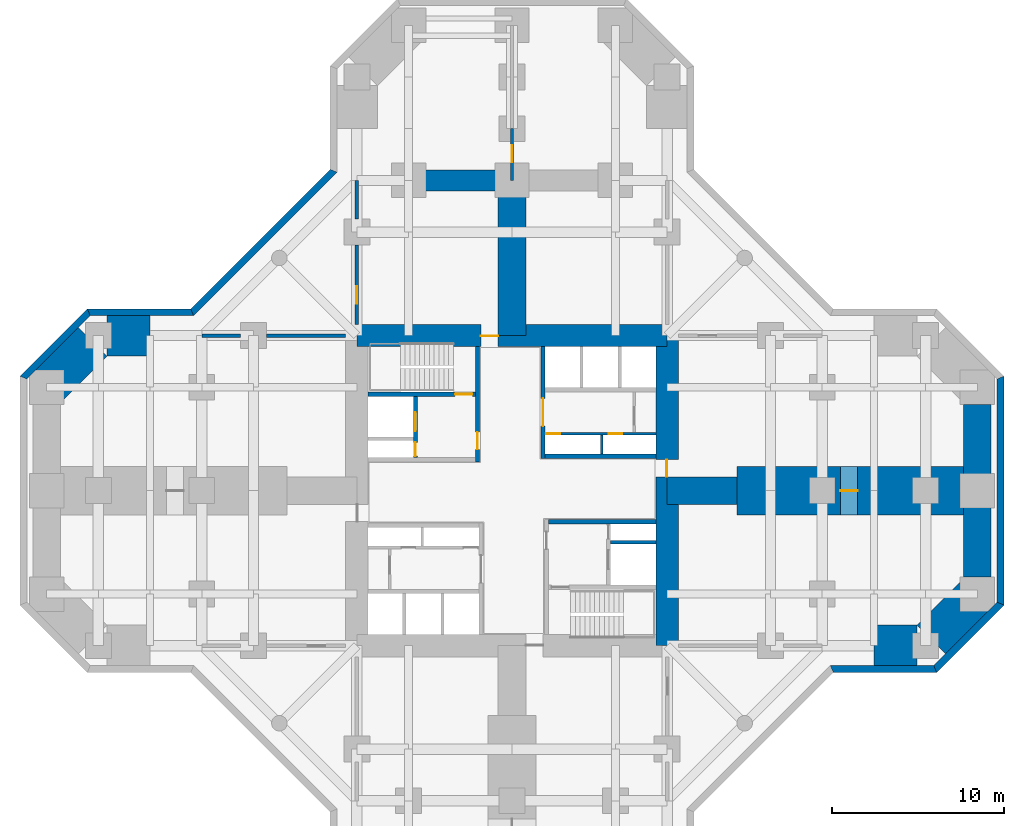
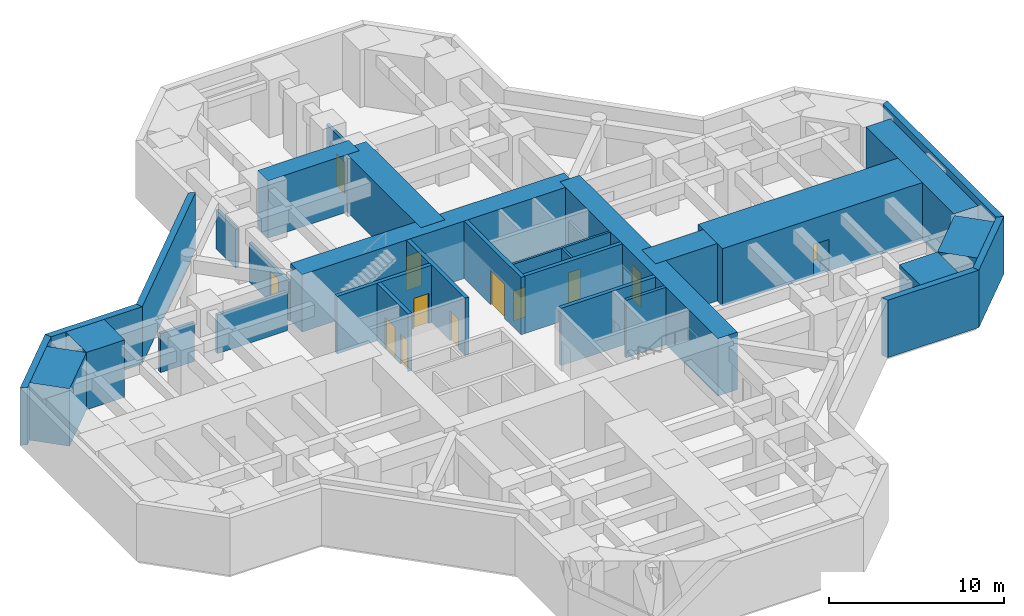
# One storey, part 4 of 6: 31 walls, 12 doors, 12 openings.
"""IFC4 building model written with IfcOpenShell, lengths in metres."""

from ifc_helpers import new_model, si_unit, direction, frame, frame_2d, origin, place, context, subcontext, project, spatial, polyline, rectangle, outline, extrude, material, layer, layer_set, constituent, constituent_set, type_object, element, fill, save


model = new_model("IFC4")

# Units and contexts
model_context = context("Model", 3, precision=1e-05, world=origin(), true_north=direction((0.0, 1.0)))
body_context = subcontext(model_context, "Body", "Model", "MODEL_VIEW")
ifc_project = project(units=[si_unit("LENGTHUNIT", "METRE"), si_unit("AREAUNIT", "SQUARE_METRE"), si_unit("VOLUMEUNIT", "CUBIC_METRE"), si_unit("PLANEANGLEUNIT", "RADIAN"), si_unit("MASSUNIT", "GRAM", prefix="KILO")], contexts=[model_context])

# Site, building, storey
site_placement = place(None, origin())
site = spatial("IfcSite", under=ifc_project, at=site_placement, CompositionType="ELEMENT")
building_placement = place(site_placement, origin())
building = spatial("IfcBuilding", under=site, at=building_placement, Name="Torre Cruceta", CompositionType="ELEMENT")
storey_placement = place(building_placement, frame((0.0, 0.0, -4.0)))
storey = spatial("IfcBuildingStorey", under=building, at=storey_placement, Name="B01", CompositionType="ELEMENT", Elevation=-4.0)

# Walls
ifc_material_1 = material(Name="Concrete G60 (fck 60 MPa)", Category="concrete")
ifc_layer_1 = layer(ifc_material_1, 2.39990234375)
ifc_layer_set_1 = layer_set([ifc_layer_1], Name="Concrete G60 (fck 60 MPa)")
wall_type_1 = type_object("IfcWallType", Name="BASEMENT ARM WALL 2400 G60", PredefinedType="SHEAR", material=ifc_layer_set_1)
wall_1_placement = place(storey_placement, frame((21.0, -9.0, 0.0), z_axis=(0.0, 0.0, 1.0), x_axis=(1.0, 0.0, 0.0)))
element("IfcWall", 1, at=wall_1_placement, inside=storey, type_object=wall_type_1, Name="BW1 basement arm wall B01 E R1", PredefinedType="SHEAR", context=body_context, shape_type="SweptSolid", body=[
    extrude(rectangle(XDim=2.5029296875, YDim=2.39990234375, at=frame_2d((1.25146484375, 0.0))), origin(), (0.0, 0.0, 1.0), 4.0),
])
wall_2_placement = place(storey_placement, frame((24.3515625, -8.6484375, 0.0), z_axis=(0.0, 0.0, 1.0), x_axis=(0.707106781187, 0.707106781187, 0.0)))
element("IfcWall", 2, at=wall_2_placement, inside=storey, type_object=wall_type_1, Name="BW1 basement arm wall B01 E R2", PredefinedType="SHEAR", context=body_context, shape_type="SweptSolid", body=[
    extrude(rectangle(XDim=3.745361328125, YDim=2.39990234375, at=frame_2d((1.87255859375, 0.0))), origin(), (0.0, 0.0, 1.0), 4.0),
])
wall_3_placement = place(storey_placement, frame((-21.0, 9.0, 0.0), z_axis=(0.0, 0.0, 1.0), x_axis=(-1.0, 0.0, 0.0)))
element("IfcWall", 3, at=wall_3_placement, inside=storey, type_object=wall_type_1, Name="BW1 basement arm wall B01 W R1", PredefinedType="SHEAR", context=body_context, shape_type="SweptSolid", body=[
    extrude(rectangle(XDim=2.5029296875, YDim=2.39990234375, at=frame_2d((1.25146484375, 0.0))), origin(), (0.0, 0.0, 1.0), 4.0),
])
wall_4_placement = place(storey_placement, frame((-24.3515625, 8.6484375, 0.0), z_axis=(0.0, 0.0, 1.0), x_axis=(-0.707106781187, -0.707106781187, 0.0)))
element("IfcWall", 4, at=wall_4_placement, inside=storey, type_object=wall_type_1, Name="BW1 basement arm wall B01 W R2", PredefinedType="SHEAR", context=body_context, shape_type="SweptSolid", body=[
    extrude(rectangle(XDim=3.745361328125, YDim=2.39990234375, at=frame_2d((1.87255859375, 0.0))), origin(), (0.0, 0.0, 1.0), 4.0),
])
ifc_material_2 = material(Name="Concrete G45 (fck 45 MPa)", Category="concrete")
ifc_layer_2 = layer(ifc_material_2, 0.39990234375)
ifc_layer_set_2 = layer_set([ifc_layer_2], Name="Concrete G45 (fck 45 MPa)")
wall_type_2 = type_object("IfcWallType", Name="BASEMENT RETAINING WALL 400", PredefinedType="SOLIDWALL", material=ifc_layer_set_2)
wall_5_placement = place(storey_placement, origin())
element("IfcWall", 5, at=wall_5_placement, inside=storey, type_object=wall_type_2, Name="Retaining wall RW1 B01-11", PredefinedType="SOLIDWALL", context=body_context, shape_type="SweptSolid", body=[
    extrude(outline(polyline([(-28.14990234375, 6.476318359375), (-28.550048828125, 6.64208984375), (-24.64208984375, 10.550048828125), (-24.476318359375, 10.14990234375), (-28.14990234375, 6.476318359375)])), origin(), (0.0, 0.0, 1.0), 4.0),
])
wall_6_placement = place(storey_placement, origin())
element("IfcWall", 6, at=wall_6_placement, inside=storey, type_object=wall_type_2, Name="Retaining wall RW1 B01-12", PredefinedType="SOLIDWALL", context=body_context, shape_type="SweptSolid", body=[
    extrude(outline(polyline([(-24.476318359375, 10.14990234375), (-24.64208984375, 10.550048828125), (-18.64208984375, 10.550048828125), (-18.476318359375, 10.14990234375), (-24.476318359375, 10.14990234375)])), origin(), (0.0, 0.0, 1.0), 4.0),
])
wall_7_placement = place(storey_placement, origin())
element("IfcWall", 7, at=wall_7_placement, inside=storey, type_object=wall_type_2, Name="Retaining wall RW1 B01-13", PredefinedType="SOLIDWALL", context=body_context, shape_type="SweptSolid", body=[
    extrude(outline(polyline([(-18.476318359375, 10.14990234375), (-18.64208984375, 10.550048828125), (-10.550048828125, 18.64208984375), (-10.14990234375, 18.476318359375), (-18.476318359375, 10.14990234375)])), origin(), (0.0, 0.0, 1.0), 4.0),
])
wall_8_placement = place(storey_placement, origin())
element("IfcWall", 8, at=wall_8_placement, inside=storey, type_object=wall_type_2, Name="Retaining wall RW1 B01-22", PredefinedType="SOLIDWALL", context=body_context, shape_type="SweptSolid", body=[
    extrude(outline(polyline([(28.14990234375, 6.476318359375), (28.550048828125, 6.64208984375), (28.550048828125, -6.64208984375), (28.14990234375, -6.476318359375), (28.14990234375, 6.476318359375)])), origin(), (0.0, 0.0, 1.0), 4.0),
])
wall_9_placement = place(storey_placement, origin())
element("IfcWall", 9, at=wall_9_placement, inside=storey, type_object=wall_type_2, Name="Retaining wall RW1 B01-23", PredefinedType="SOLIDWALL", context=body_context, shape_type="SweptSolid", body=[
    extrude(outline(polyline([(28.14990234375, -6.476318359375), (28.550048828125, -6.64208984375), (24.64208984375, -10.550048828125), (24.476318359375, -10.14990234375), (28.14990234375, -6.476318359375)])), origin(), (0.0, 0.0, 1.0), 4.0),
])
wall_10_placement = place(storey_placement, origin())
element("IfcWall", 10, at=wall_10_placement, inside=storey, type_object=wall_type_2, Name="Retaining wall RW1 B01-24", PredefinedType="SOLIDWALL", context=body_context, shape_type="SweptSolid", body=[
    extrude(outline(polyline([(24.476318359375, -10.14990234375), (24.64208984375, -10.550048828125), (18.64208984375, -10.550048828125), (18.476318359375, -10.14990234375), (24.476318359375, -10.14990234375)])), origin(), (0.0, 0.0, 1.0), 4.0),
])

# Wall, opening, door
ifc_material_3 = material(Name="Concrete G60 (fck 60 MPa)", Category="concrete")
ifc_layer_3 = layer(ifc_material_3, 0.25)
ifc_layer_set_3 = layer_set([ifc_layer_3], Name="Concrete G60 (fck 60 MPa)")
wall_type_3 = type_object("IfcWallType", Name="CORE INNER WALL 250 G60", PredefinedType="SHEAR", material=ifc_layer_set_3)
wall_11_placement = place(storey_placement, frame((1.800048828125, 1.875, 0.0), z_axis=(0.0, 0.0, 1.0), x_axis=(0.0, 1.0, 0.0)))
wall_11 = element("IfcWall", 11, at=wall_11_placement, inside=storey, type_object=wall_type_3, Name="CW4 B01 NE-CU", PredefinedType="SHEAR", context=body_context, shape_type="SweptSolid", body=[
    extrude(rectangle(XDim=6.47509765625, YDim=0.25, at=frame_2d((3.237548828125, 0.0))), origin(), (0.0, 0.0, 1.0), 4.0),
])
opening_1_placement = place(wall_11_placement, frame((1.875, 0.0, 0.0)))
opening_1 = element("IfcOpeningElement", 12, at=opening_1_placement, cuts=wall_11, Name="Opening D15", PredefinedType="OPENING", context=body_context, shape_type="SweptSolid", body=[
    extrude(rectangle(XDim=1.60009765625, YDim=2.39990234375, at=frame_2d((0.800048828125, 1.199951171875))), frame((0.0, 0.135009765625, 0.0), z_axis=(0.0, -1.0, 0.0), x_axis=(1.0, 0.0, 0.0)), (0.0, 0.0, 1.0), 0.27001953125),
])
ifc_material_4 = material(Name="Steel DX51D", Category="steel")
ifc_constituent_1 = constituent(ifc_material_4, Name="Leaf and frame")
ifc_material_5 = material(Name="Polyester powder coating", Category="paint")
ifc_constituent_2 = constituent(ifc_material_5, Name="Finish")
ifc_constituent_set_1 = constituent_set(constituents=[ifc_constituent_1, ifc_constituent_2], Name="Steel fire door")
door_type_1 = type_object("IfcDoorType", Name="CORE ROOM DOUBLE DOOR 1600X2400", OperationType="DOUBLE_DOOR_SINGLE_SWING", PredefinedType="DOOR", material=ifc_constituent_set_1)
door_1_placement = place(opening_1_placement, frame((1.60009765625, 0.0, 0.0), z_axis=(0.0, 0.0, 1.0), x_axis=(-1.0, 0.0, 0.0)))
door_1 = element("IfcDoor", 13, at=door_1_placement, inside=storey, type_object=door_type_1, Name="D15 B01 NE-LOBBY", OperationType="DOUBLE_DOOR_SINGLE_SWING", OverallHeight=2.39990234375, OverallWidth=1.60009765625, PredefinedType="DOOR", context=body_context, shape_type="SweptSolid", body=[
    extrude(rectangle(XDim=1.60009765625, YDim=2.39990234375, at=frame_2d((0.800048828125, 1.199951171875))), frame((0.0, 0.025146484375, 0.0), z_axis=(0.0, -1.0, 0.0), x_axis=(1.0, 0.0, 0.0)), (0.0, 0.0, 1.0), 0.050048828125),
])
fill(opening_1, door_1)

# Wall
wall_12_placement = place(storey_placement, frame((1.925048828125, 2.0, 0.0), z_axis=(0.0, 0.0, 1.0), x_axis=(1.0, 0.0, 0.0)))
element("IfcWall", 14, at=wall_12_placement, inside=storey, type_object=wall_type_3, Name="CW4 B01 NE-CV", PredefinedType="SHEAR", context=body_context, shape_type="SweptSolid", body=[
    extrude(rectangle(XDim=6.425048828125, YDim=0.25, at=frame_2d((3.21240234375, 0.0))), origin(), (0.0, 0.0, 1.0), 4.0),
])

# Wall, opening, door
wall_13_placement = place(storey_placement, frame((-2.0, 1.675048828125, 0.0), z_axis=(0.0, 0.0, 1.0), x_axis=(0.0, 1.0, 0.0)))
wall_13 = element("IfcWall", 15, at=wall_13_placement, inside=storey, type_object=wall_type_3, Name="CW4 B01 NW-CU", PredefinedType="SHEAR", context=body_context, shape_type="SweptSolid", body=[
    extrude(rectangle(XDim=6.675048828125, YDim=0.25, at=frame_2d((3.33740234375, 0.0))), origin(), (0.0, 0.0, 1.0), 4.0),
])
opening_2_placement = place(wall_13_placement, frame((0.72509765625, 0.0, 0.0)))
opening_2 = element("IfcOpeningElement", 16, at=opening_2_placement, cuts=wall_13, Name="Opening D3", PredefinedType="OPENING", context=body_context, shape_type="SweptSolid", body=[
    extrude(rectangle(XDim=1.0, YDim=2.10009765625, at=frame_2d((0.5, 1.050048828125))), frame((0.0, 0.135009765625, 0.0), z_axis=(0.0, -1.0, 0.0), x_axis=(1.0, 0.0, 0.0)), (0.0, 0.0, 1.0), 0.27001953125),
])
ifc_material_6 = material(Name="Steel DX51D", Category="steel")
ifc_constituent_3 = constituent(ifc_material_6, Name="Leaf and frame")
ifc_material_7 = material(Name="Polyester powder coating", Category="paint")
ifc_constituent_4 = constituent(ifc_material_7, Name="Finish")
ifc_constituent_set_2 = constituent_set(constituents=[ifc_constituent_3, ifc_constituent_4], Name="Steel fire door")
door_type_2 = type_object("IfcDoorType", Name="FIRE DOOR 1000X2100", OperationType="SINGLE_SWING_LEFT", PredefinedType="DOOR", material=ifc_constituent_set_2)
door_2_placement = place(opening_2_placement, origin())
door_2 = element("IfcDoor", 17, at=door_2_placement, inside=storey, type_object=door_type_2, Name="D3 B01 NW-LOBBY", OperationType="SINGLE_SWING_LEFT", OverallHeight=2.10009765625, OverallWidth=1.0, PredefinedType="DOOR", context=body_context, shape_type="SweptSolid", body=[
    extrude(rectangle(XDim=1.0, YDim=2.10009765625, at=frame_2d((0.5, 1.050048828125))), frame((0.0, 0.02490234375, 0.0), z_axis=(0.0, -1.0, 0.0), x_axis=(1.0, 0.0, 0.0)), (0.0, 0.0, 1.0), 0.050048828125),
])
fill(opening_2, door_2)

wall_14_placement = place(storey_placement, frame((-2.125, 5.60009765625, 0.0), z_axis=(0.0, 0.0, 1.0), x_axis=(-1.0, 0.0, 0.0)))
wall_14 = element("IfcWall", 18, at=wall_14_placement, inside=storey, type_object=wall_type_3, Name="CW4 B01 NW-SV", PredefinedType="SHEAR", context=body_context, shape_type="SweptSolid", body=[
    extrude(rectangle(XDim=6.22509765625, YDim=0.25, at=frame_2d((3.112548828125, 0.0))), origin(), (0.0, 0.0, 1.0), 4.0),
])
opening_3_placement = place(wall_14_placement, frame((0.175048828125, 0.0, 0.0)))
opening_3 = element("IfcOpeningElement", 19, at=opening_3_placement, cuts=wall_14, Name="Opening D3", PredefinedType="OPENING", context=body_context, shape_type="SweptSolid", body=[
    extrude(rectangle(XDim=1.0, YDim=2.10009765625, at=frame_2d((0.5, 1.050048828125))), frame((0.0, 0.135009765625, 0.0), z_axis=(0.0, -1.0, 0.0), x_axis=(1.0, 0.0, 0.0)), (0.0, 0.0, 1.0), 0.27001953125),
])
door_3_placement = place(opening_3_placement, frame((1.0, 0.0, 0.0), z_axis=(0.0, 0.0, 1.0), x_axis=(-1.0, 0.0, 0.0)))
door_3 = element("IfcDoor", 20, at=door_3_placement, inside=storey, type_object=door_type_2, Name="D3 B01 NW-STAIR", OperationType="SINGLE_SWING_RIGHT", OverallHeight=2.10009765625, OverallWidth=1.0, PredefinedType="DOOR", context=body_context, shape_type="SweptSolid", body=[
    extrude(rectangle(XDim=1.0, YDim=2.10009765625, at=frame_2d((0.5, 1.050048828125))), frame((0.0, 0.025146484375, 0.0), z_axis=(0.0, -1.0, 0.0), x_axis=(1.0, 0.0, 0.0)), (0.0, 0.0, 1.0), 0.050048828125),
])
fill(opening_3, door_3)

# Wall, openings, doors
wall_15_placement = place(storey_placement, frame((-5.60009765625, 1.925048828125, 0.0), z_axis=(0.0, 0.0, 1.0), x_axis=(0.0, 1.0, 0.0)))
wall_15 = element("IfcWall", 21, at=wall_15_placement, inside=storey, type_object=wall_type_3, Name="CW4 B01 NW-FU", PredefinedType="SHEAR", context=body_context, shape_type="SweptSolid", body=[
    extrude(rectangle(XDim=3.550048828125, YDim=0.25, at=frame_2d((1.77490234375, 0.0))), origin(), (0.0, 0.0, 1.0), 4.0),
])
opening_4_placement = place(wall_15_placement, frame((1.52490234375, 0.0, 0.0)))
opening_4 = element("IfcOpeningElement", 22, at=opening_4_placement, cuts=wall_15, Name="Opening LD1", PredefinedType="OPENING", context=body_context, shape_type="SweptSolid", body=[
    extrude(rectangle(XDim=1.10009765625, YDim=2.199951171875, at=frame_2d((0.550048828125, 1.10009765625))), frame((0.0, 0.135009765625, 0.0), z_axis=(0.0, -1.0, 0.0), x_axis=(1.0, 0.0, 0.0)), (0.0, 0.0, 1.0), 0.27001953125),
])
opening_5_placement = place(wall_15_placement, frame((0.074951171875, 0.0, 0.0)))
opening_5 = element("IfcOpeningElement", 23, at=opening_5_placement, cuts=wall_15, Name="Opening D5", PredefinedType="OPENING", context=body_context, shape_type="SweptSolid", body=[
    extrude(rectangle(XDim=0.800048828125, YDim=2.10009765625, at=frame_2d((0.39990234375, 1.050048828125))), frame((0.0, 0.135009765625, 0.0), z_axis=(0.0, -1.0, 0.0), x_axis=(1.0, 0.0, 0.0)), (0.0, 0.0, 1.0), 0.27001953125),
])
ifc_material_8 = material(Name="Stainless steel 1.4401", Category="steel")
door_type_3 = type_object("IfcDoorType", Name="LIFT LANDING DOOR 1100X2200", OperationType="DOUBLE_DOOR_SLIDING", PredefinedType="DOOR", material=ifc_material_8)
door_4_placement = place(opening_4_placement, origin())
door_4 = element("IfcDoor", 24, at=door_4_placement, inside=storey, type_object=door_type_3, Name="Lift landing door FL1", OperationType="DOUBLE_DOOR_SLIDING", OverallHeight=2.199951171875, OverallWidth=1.10009765625, PredefinedType="DOOR", context=body_context, shape_type="SweptSolid", body=[
    extrude(rectangle(XDim=1.10009765625, YDim=2.199951171875, at=frame_2d((0.550048828125, 1.10009765625))), frame((0.0, 0.02490234375, 0.0), z_axis=(0.0, -1.0, 0.0), x_axis=(1.0, 0.0, 0.0)), (0.0, 0.0, 1.0), 0.050048828125),
])
fill(opening_4, door_4)
ifc_material_9 = material(Name="Steel DX51D", Category="steel")
ifc_constituent_5 = constituent(ifc_material_9, Name="Leaf and frame")
ifc_material_10 = material(Name="Polyester powder coating", Category="paint")
ifc_constituent_6 = constituent(ifc_material_10, Name="Finish")
ifc_constituent_set_3 = constituent_set(constituents=[ifc_constituent_5, ifc_constituent_6], Name="Steel fire door")
door_type_4 = type_object("IfcDoorType", Name="RISER ACCESS DOOR 800X2100", OperationType="SINGLE_SWING_LEFT", PredefinedType="DOOR", material=ifc_constituent_set_3)
door_5_placement = place(opening_5_placement, origin())
door_5 = element("IfcDoor", 25, at=door_5_placement, inside=storey, type_object=door_type_4, Name="D5 B01 NW-RISER", OperationType="SINGLE_SWING_LEFT", OverallHeight=2.10009765625, OverallWidth=0.800048828125, PredefinedType="DOOR", context=body_context, shape_type="SweptSolid", body=[
    extrude(rectangle(XDim=0.800048828125, YDim=2.10009765625, at=frame_2d((0.39990234375, 1.050048828125))), frame((0.0, 0.02490234375, 0.0), z_axis=(0.0, -1.0, 0.0), x_axis=(1.0, 0.0, 0.0)), (0.0, 0.0, 1.0), 0.050048828125),
])
fill(opening_5, door_5)

# Wall
wall_16_placement = place(storey_placement, frame((2.125, -1.800048828125, 0.0), z_axis=(0.0, 0.0, 1.0), x_axis=(1.0, 0.0, 0.0)))
element("IfcWall", 26, at=wall_16_placement, inside=storey, type_object=wall_type_3, Name="CW4 B01 SE-CV", PredefinedType="SHEAR", context=body_context, shape_type="SweptSolid", body=[
    extrude(rectangle(XDim=6.22509765625, YDim=0.25, at=frame_2d((3.112548828125, 0.0))), origin(), (0.0, 0.0, 1.0), 4.0),
])

# Wall, opening, door
ifc_material_11 = material(Name="Concrete G60 (fck 60 MPa)", Category="concrete")
ifc_layer_4 = layer(ifc_material_11, 1.300048828125)
ifc_layer_set_4 = layer_set([ifc_layer_4], Name="Concrete G60 (fck 60 MPa)")
wall_type_4 = type_object("IfcWallType", Name="CORE WALL 1300 G60", PredefinedType="SHEAR", material=ifc_layer_set_4)
wall_17_placement = place(storey_placement, frame((9.0, 9.0, 0.0), z_axis=(0.0, 0.0, 1.0), x_axis=(-1.0, 0.0, 0.0)))
wall_17 = element("IfcWall", 27, at=wall_17_placement, inside=storey, type_object=wall_type_4, Name="CW1 B01 CW-N", PredefinedType="SHEAR", context=body_context, shape_type="SweptSolid", body=[
    extrude(rectangle(XDim=18.0, YDim=1.300048828125, at=frame_2d((9.0, 0.0))), origin(), (0.0, 0.0, 1.0), 4.0),
])
opening_6_placement = place(wall_17_placement, frame((9.800048828125, 0.0, 0.0)))
opening_6 = element("IfcOpeningElement", 28, at=opening_6_placement, cuts=wall_17, Name="Opening D4", PredefinedType="OPENING", context=body_context, shape_type="SweptSolid", body=[
    extrude(rectangle(XDim=1.0, YDim=2.39990234375, at=frame_2d((0.5, 1.199951171875))), frame((0.0, 0.659912109375, 0.0), z_axis=(0.0, -1.0, 0.0), x_axis=(1.0, 0.0, 0.0)), (0.0, 0.0, 1.0), 1.320068359375),
])
ifc_material_12 = material(Name="Steel DX51D", Category="steel")
ifc_constituent_7 = constituent(ifc_material_12, Name="Leaf and frame")
ifc_material_13 = material(Name="Polyester powder coating", Category="paint")
ifc_constituent_8 = constituent(ifc_material_13, Name="Finish")
ifc_constituent_set_4 = constituent_set(constituents=[ifc_constituent_7, ifc_constituent_8], Name="Steel fire door")
door_type_5 = type_object("IfcDoorType", Name="CORE ARM DOOR 1000X2400", OperationType="SINGLE_SWING_RIGHT", PredefinedType="DOOR", material=ifc_constituent_set_4)
door_6_placement = place(opening_6_placement, frame((1.0, 0.0, 0.0), z_axis=(0.0, 0.0, 1.0), x_axis=(-1.0, 0.0, 0.0)))
door_6 = element("IfcDoor", 29, at=door_6_placement, inside=storey, type_object=door_type_5, Name="D4 B01 CW-N", OperationType="SINGLE_SWING_RIGHT", OverallHeight=2.39990234375, OverallWidth=1.0, PredefinedType="DOOR", context=body_context, shape_type="SweptSolid", body=[
    extrude(rectangle(XDim=1.0, YDim=2.39990234375, at=frame_2d((0.5, 1.199951171875))), frame((0.0, -0.005126953125, 0.0), z_axis=(0.0, -1.0, 0.0), x_axis=(1.0, 0.0, 0.0)), (0.0, 0.0, 1.0), 0.050048828125),
])
fill(opening_6, door_6)

wall_18_placement = place(storey_placement, frame((9.0, -9.0, 0.0), z_axis=(0.0, 0.0, 1.0), x_axis=(0.0, 1.0, 0.0)))
wall_18 = element("IfcWall", 30, at=wall_18_placement, inside=storey, type_object=wall_type_4, Name="CW1 B01 CW-E", PredefinedType="SHEAR", context=body_context, shape_type="SweptSolid", body=[
    extrude(rectangle(XDim=18.0, YDim=1.300048828125, at=frame_2d((9.0, 0.0))), origin(), (0.0, 0.0, 1.0), 4.0),
])
opening_7_placement = place(wall_18_placement, frame((9.800048828125, 0.0, 0.0)))
opening_7 = element("IfcOpeningElement", 31, at=opening_7_placement, cuts=wall_18, Name="Opening D4", PredefinedType="OPENING", context=body_context, shape_type="SweptSolid", body=[
    extrude(rectangle(XDim=1.0, YDim=2.39990234375, at=frame_2d((0.5, 1.199951171875))), frame((0.0, 0.659912109375, 0.0), z_axis=(0.0, -1.0, 0.0), x_axis=(1.0, 0.0, 0.0)), (0.0, 0.0, 1.0), 1.320068359375),
])
door_7_placement = place(opening_7_placement, frame((1.0, 0.0, 0.0), z_axis=(0.0, 0.0, 1.0), x_axis=(-1.0, 0.0, 0.0)))
door_7 = element("IfcDoor", 32, at=door_7_placement, inside=storey, type_object=door_type_5, Name="D4 B01 CW-E", OperationType="SINGLE_SWING_RIGHT", OverallHeight=2.39990234375, OverallWidth=1.0, PredefinedType="DOOR", context=body_context, shape_type="SweptSolid", body=[
    extrude(rectangle(XDim=1.0, YDim=2.39990234375, at=frame_2d((0.5, 1.199951171875))), frame((0.0, -0.005126953125, 0.0), z_axis=(0.0, -1.0, 0.0), x_axis=(1.0, 0.0, 0.0)), (0.0, 0.0, 1.0), 0.050048828125),
])
fill(opening_7, door_7)

ifc_material_14 = material(Name="Concrete G25 (fck 25 MPa)", Category="concrete")
ifc_layer_5 = layer(ifc_material_14, 0.199951171875)
ifc_layer_set_5 = layer_set([ifc_layer_5], Name="Concrete G25 (fck 25 MPa)")
wall_type_5 = type_object("IfcWallType", Name="CORRIDOR WALL 200", PredefinedType="SOLIDWALL", material=ifc_layer_set_5)
wall_19_placement = place(storey_placement, frame((0.0, 18.0, 0.0), z_axis=(0.0, 0.0, 1.0), x_axis=(0.0, 1.0, 0.0)))
wall_19 = element("IfcWall", 33, at=wall_19_placement, inside=storey, type_object=wall_type_5, Name="PT3 spine line B01 N", PredefinedType="SOLIDWALL", context=body_context, shape_type="SweptSolid", body=[
    extrude(rectangle(XDim=3.0, YDim=0.199951171875, at=frame_2d((1.5, 0.0))), origin(), (0.0, 0.0, 1.0), 3.699951171875),
])
opening_8_placement = place(wall_19_placement, frame((1.050048828125, 0.0, 0.0)))
opening_8 = element("IfcOpeningElement", 34, at=opening_8_placement, cuts=wall_19, Name="Opening D14", PredefinedType="OPENING", context=body_context, shape_type="SweptSolid", body=[
    extrude(rectangle(XDim=1.0, YDim=2.199951171875, at=frame_2d((0.5, 1.10009765625))), frame((0.0, 0.10986328125, 0.0), z_axis=(0.0, -1.0, 0.0), x_axis=(1.0, 0.0, 0.0)), (0.0, 0.0, 1.0), 0.219970703125),
])
ifc_material_15 = material(Name="Steel DX51D", Category="steel")
ifc_constituent_9 = constituent(ifc_material_15, Name="Leaf and frame")
ifc_material_16 = material(Name="Polyester powder coating", Category="paint")
ifc_constituent_10 = constituent(ifc_material_16, Name="Finish")
ifc_material_17 = material(Name="Fire-resisting glass", Category="glass")
ifc_constituent_11 = constituent(ifc_material_17, Name="Vision panel")
ifc_constituent_set_5 = constituent_set(constituents=[ifc_constituent_9, ifc_constituent_10, ifc_constituent_11], Name="Steel fire door with vision panel")
door_type_6 = type_object("IfcDoorType", Name="FIRE DOOR VISION PANEL 1000X2200", OperationType="SINGLE_SWING_RIGHT", PredefinedType="DOOR", material=ifc_constituent_set_5)
door_8_placement = place(opening_8_placement, frame((1.0, 0.0, 0.0), z_axis=(0.0, 0.0, 1.0), x_axis=(-1.0, 0.0, 0.0)))
door_8 = element("IfcDoor", 35, at=door_8_placement, inside=storey, type_object=door_type_6, Name="D14 B01-N-SP1", OperationType="SINGLE_SWING_RIGHT", OverallHeight=2.199951171875, OverallWidth=1.0, PredefinedType="DOOR", context=body_context, shape_type="SweptSolid", body=[
    extrude(rectangle(XDim=1.0, YDim=2.199951171875, at=frame_2d((0.5, 1.10009765625))), frame((0.0, 0.025146484375, 0.0), z_axis=(0.0, -1.0, 0.0), x_axis=(1.0, 0.0, 0.0)), (0.0, 0.0, 1.0), 0.050048828125),
])
fill(opening_8, door_8)

# Walls
ifc_material_18 = material(Name="Concrete G60 (fck 60 MPa)", Category="concrete")
ifc_layer_6 = layer(ifc_material_18, 1.199951171875)
ifc_layer_set_6 = layer_set([ifc_layer_6], Name="Concrete G60 (fck 60 MPa)")
wall_type_6 = type_object("IfcWallType", Name="CROSS WALL 1200 G60", PredefinedType="SHEAR", material=ifc_layer_set_6)
wall_20_placement = place(storey_placement, frame((0.0, 18.0, 0.0), z_axis=(0.0, 0.0, 1.0), x_axis=(-1.0, 0.0, 0.0)))
element("IfcWall", 36, at=wall_20_placement, inside=storey, type_object=wall_type_6, Name="XW1 cross wall B01 N L", PredefinedType="SHEAR", context=body_context, shape_type="SweptSolid", body=[
    extrude(rectangle(XDim=6.0, YDim=1.199951171875, at=frame_2d((3.0, 0.0))), origin(), (0.0, 0.0, 1.0), 4.0),
])
ifc_material_19 = material(Name="Concrete G35 (fck 35 MPa)", Category="concrete")
ifc_layer_7 = layer(ifc_material_19, 0.199951171875)
ifc_layer_set_7 = layer_set([ifc_layer_7], Name="Concrete G35 (fck 35 MPa)")
wall_type_7 = type_object("IfcWallType", Name="LIFT SHAFT WALL 200", PredefinedType="PARTITIONING", material=ifc_layer_set_7)
wall_21_placement = place(storey_placement, frame((5.72509765625, -3.0, 0.0), z_axis=(0.0, 0.0, 1.0), x_axis=(1.0, 0.0, 0.0)))
element("IfcWall", 37, at=wall_21_placement, inside=storey, type_object=wall_type_7, Name="SW1 B01 SE-FR", PredefinedType="PARTITIONING", context=body_context, shape_type="SweptSolid", body=[
    extrude(rectangle(XDim=2.625, YDim=0.199951171875, at=frame_2d((1.3125, 0.0))), origin(), (0.0, 0.0, 1.0), 4.0),
])
ifc_material_20 = material(Name="Concrete G60 (fck 60 MPa)", Category="concrete")
ifc_layer_8 = layer(ifc_material_20, 1.60009765625)
ifc_layer_set_8 = layer_set([ifc_layer_8], Name="Concrete G60 (fck 60 MPa)")
wall_type_8 = type_object("IfcWallType", Name="NOSE WALL 1600 G60", PredefinedType="SHEAR", material=ifc_layer_set_8)
wall_22_placement = place(storey_placement, frame((27.0, -5.0, 0.0), z_axis=(0.0, 0.0, 1.0), x_axis=(0.0, 1.0, 0.0)))
element("IfcWall", 38, at=wall_22_placement, inside=storey, type_object=wall_type_8, Name="NW0 nose wall B01 E", PredefinedType="SHEAR", context=body_context, shape_type="SweptSolid", body=[
    extrude(rectangle(XDim=10.0, YDim=1.60009765625, at=frame_2d((5.0, 0.0))), origin(), (0.0, 0.0, 1.0), 4.0),
])

# Wall, openings, doors
ifc_material_21 = material(Name="Concrete block masonry", Category="masonry")
ifc_layer_9 = layer(ifc_material_21, 0.14990234375)
ifc_layer_set_9 = layer_set([ifc_layer_9], Name="Concrete block masonry")
wall_type_9 = type_object("IfcWallType", Name="RISER WALL 150", PredefinedType="PARTITIONING", material=ifc_layer_set_9)
wall_23_placement = place(storey_placement, frame((1.925048828125, 3.300048828125, 0.0), z_axis=(0.0, 0.0, 1.0), x_axis=(1.0, 0.0, 0.0)))
wall_23 = element("IfcWall", 39, at=wall_23_placement, inside=storey, type_object=wall_type_9, Name="SW7 B01 NE-RV", PredefinedType="PARTITIONING", context=body_context, shape_type="SweptSolid", body=[
    extrude(rectangle(XDim=6.425048828125, YDim=0.14990234375, at=frame_2d((3.21240234375, 0.0))), origin(), (0.0, 0.0, 1.0), 4.0),
])
opening_9_placement = place(wall_23_placement, frame((0.074951171875, 0.0, 0.0)))
opening_9 = element("IfcOpeningElement", 40, at=opening_9_placement, cuts=wall_23, Name="Opening D5", PredefinedType="OPENING", context=body_context, shape_type="SweptSolid", body=[
    extrude(rectangle(XDim=0.800048828125, YDim=2.10009765625, at=frame_2d((0.39990234375, 1.050048828125))), frame((0.0, 0.0849609375, 0.0), z_axis=(0.0, -1.0, 0.0), x_axis=(1.0, 0.0, 0.0)), (0.0, 0.0, 1.0), 0.169921875),
])
opening_10_placement = place(wall_23_placement, frame((3.675048828125, 0.0, 0.0)))
opening_10 = element("IfcOpeningElement", 41, at=opening_10_placement, cuts=wall_23, Name="Opening D5", PredefinedType="OPENING", context=body_context, shape_type="SweptSolid", body=[
    extrude(rectangle(XDim=0.800048828125, YDim=2.10009765625, at=frame_2d((0.39990234375, 1.050048828125))), frame((0.0, 0.0849609375, 0.0), z_axis=(0.0, -1.0, 0.0), x_axis=(1.0, 0.0, 0.0)), (0.0, 0.0, 1.0), 0.169921875),
])
door_9_placement = place(opening_9_placement, frame((0.800048828125, 0.0, 0.0), z_axis=(0.0, 0.0, 1.0), x_axis=(-1.0, 0.0, 0.0)))
door_9 = element("IfcDoor", 42, at=door_9_placement, inside=storey, type_object=door_type_4, Name="D5 B01 NE-RISER1", OperationType="SINGLE_SWING_RIGHT", OverallHeight=2.10009765625, OverallWidth=0.800048828125, PredefinedType="DOOR", context=body_context, shape_type="SweptSolid", body=[
    extrude(rectangle(XDim=0.800048828125, YDim=2.10009765625, at=frame_2d((0.400146484375, 1.050048828125))), frame((0.0, 0.025146484375, 0.0), z_axis=(0.0, -1.0, 0.0), x_axis=(1.0, 0.0, 0.0)), (0.0, 0.0, 1.0), 0.050048828125),
])
fill(opening_9, door_9)
door_10_placement = place(opening_10_placement, frame((0.800048828125, 0.0, 0.0), z_axis=(0.0, 0.0, 1.0), x_axis=(-1.0, 0.0, 0.0)))
door_10 = element("IfcDoor", 43, at=door_10_placement, inside=storey, type_object=door_type_4, Name="D5 B01 NE-RISER2", OperationType="SINGLE_SWING_RIGHT", OverallHeight=2.10009765625, OverallWidth=0.800048828125, PredefinedType="DOOR", context=body_context, shape_type="SweptSolid", body=[
    extrude(rectangle(XDim=0.800048828125, YDim=2.10009765625, at=frame_2d((0.400146484375, 1.050048828125))), frame((0.0, 0.025146484375, 0.0), z_axis=(0.0, -1.0, 0.0), x_axis=(1.0, 0.0, 0.0)), (0.0, 0.0, 1.0), 0.050048828125),
])
fill(opening_10, door_10)

# Walls
wall_24_placement = place(storey_placement, frame((5.199951171875, 2.125, 0.0), z_axis=(0.0, 0.0, 1.0), x_axis=(0.0, 1.0, 0.0)))
element("IfcWall", 44, at=wall_24_placement, inside=storey, type_object=wall_type_9, Name="SW7 B01 NE-RU", PredefinedType="PARTITIONING", context=body_context, shape_type="SweptSolid", body=[
    extrude(rectangle(XDim=1.10009765625, YDim=0.14990234375, at=frame_2d((0.550048828125, 0.0))), origin(), (0.0, 0.0, 1.0), 4.0),
])
ifc_material_22 = material(Name="Concrete G60 (fck 60 MPa)", Category="concrete")
ifc_layer_10 = layer(ifc_material_22, 1.60009765625)
ifc_layer_set_10 = layer_set([ifc_layer_10], Name="Concrete G60 (fck 60 MPa)")
wall_type_10 = type_object("IfcWallType", Name="SPINE WALL 1600 G60", PredefinedType="SHEAR", material=ifc_layer_set_10)
wall_25_placement = place(storey_placement, frame((0.0, 9.0, 0.0), z_axis=(0.0, 0.0, 1.0), x_axis=(0.0, 1.0, 0.0)))
element("IfcWall", 45, at=wall_25_placement, inside=storey, type_object=wall_type_10, Name="SW2 spine wall B01 N", PredefinedType="SHEAR", context=body_context, shape_type="SweptSolid", body=[
    extrude(rectangle(XDim=9.0, YDim=1.60009765625, at=frame_2d((4.5, 0.0))), origin(), (0.0, 0.0, 1.0), 4.0),
])
wall_26_placement = place(storey_placement, frame((9.0, 0.0, 0.0), z_axis=(0.0, 0.0, 1.0), x_axis=(1.0, 0.0, 0.0)))
element("IfcWall", 46, at=wall_26_placement, inside=storey, type_object=wall_type_10, Name="SW2 spine wall root B01 E", PredefinedType="SHEAR", context=body_context, shape_type="SweptSolid", body=[
    extrude(rectangle(XDim=4.050048828125, YDim=1.60009765625, at=frame_2d((2.02490234375, 0.0))), origin(), (0.0, 0.0, 1.0), 4.0),
])

# Wall, opening, door
ifc_material_23 = material(Name="Concrete G60 (fck 60 MPa)", Category="concrete")
ifc_layer_11 = layer(ifc_material_23, 2.800048828125)
ifc_layer_set_11 = layer_set([ifc_layer_11], Name="Concrete G60 (fck 60 MPa)")
wall_type_11 = type_object("IfcWallType", Name="SPINE WALL 2800 G60", PredefinedType="SHEAR", material=ifc_layer_set_11)
wall_27_placement = place(storey_placement, frame((13.050048828125, 0.0, 0.0), z_axis=(0.0, 0.0, 1.0), x_axis=(1.0, 0.0, 0.0)))
wall_27 = element("IfcWall", 47, at=wall_27_placement, inside=storey, type_object=wall_type_11, Name="SW8 spine wall B01 E", PredefinedType="SHEAR", context=body_context, shape_type="SweptSolid", body=[
    extrude(rectangle(XDim=13.949951171875, YDim=2.800048828125, at=frame_2d((6.97509765625, 0.0))), origin(), (0.0, 0.0, 1.0), 4.0),
])
opening_11_placement = place(wall_27_placement, frame((6.0, 0.0, 0.0)))
opening_11 = element("IfcOpeningElement", 48, at=opening_11_placement, cuts=wall_27, Name="Opening D14", PredefinedType="OPENING", context=body_context, shape_type="SweptSolid", body=[
    extrude(rectangle(XDim=1.0, YDim=2.199951171875, at=frame_2d((0.5, 1.10009765625))), frame((0.0, 1.409912109375, 0.0), z_axis=(0.0, -1.0, 0.0), x_axis=(1.0, 0.0, 0.0)), (0.0, 0.0, 1.0), 2.820068359375),
])
door_11_placement = place(opening_11_placement, frame((1.0, 0.0, 0.0), z_axis=(0.0, 0.0, 1.0), x_axis=(-1.0, 0.0, 0.0)))
door_11 = element("IfcDoor", 49, at=door_11_placement, inside=storey, type_object=door_type_6, Name="D14 B01-E-SP1", OperationType="SINGLE_SWING_LEFT", OverallHeight=2.199951171875, OverallWidth=1.0, PredefinedType="DOOR", context=body_context, shape_type="SweptSolid", body=[
    extrude(rectangle(XDim=1.0, YDim=2.199951171875, at=frame_2d((0.5, 1.10009765625))), frame((0.0, 0.025146484375, 0.0), z_axis=(0.0, -1.0, 0.0), x_axis=(1.0, 0.0, 0.0)), (0.0, 0.0, 1.0), 0.050048828125),
])
fill(opening_11, door_11)

ifc_material_24 = material(Name="Concrete G25 (fck 25 MPa)", Category="concrete")
ifc_layer_12 = layer(ifc_material_24, 0.199951171875)
ifc_layer_set_12 = layer_set([ifc_layer_12], Name="Concrete G25 (fck 25 MPa)")
wall_type_12 = type_object("IfcWallType", Name="WING SEPARATING WALL 200", PredefinedType="SOLIDWALL", material=ifc_layer_set_12)
wall_28_placement = place(storey_placement, frame((-9.0, 9.64990234375, 0.0), z_axis=(0.0, 0.0, 1.0), x_axis=(0.0, 1.0, 0.0)))
wall_28 = element("IfcWall", 50, at=wall_28_placement, inside=storey, type_object=wall_type_12, Name="PT6 B01-WING-N-A1", PredefinedType="SOLIDWALL", context=body_context, shape_type="SweptSolid", body=[
    extrude(rectangle(XDim=4.60009765625, YDim=0.199951171875, at=frame_2d((2.300048828125, 0.0))), origin(), (0.0, 0.0, 1.0), 2.699951171875),
])
opening_12_placement = place(wall_28_placement, frame((1.199951171875, 0.0, 0.0)))
opening_12 = element("IfcOpeningElement", 51, at=opening_12_placement, cuts=wall_28, Name="Opening D14", PredefinedType="OPENING", context=body_context, shape_type="SweptSolid", body=[
    extrude(rectangle(XDim=1.0, YDim=2.199951171875, at=frame_2d((0.5, 1.10009765625))), frame((0.0, 0.10986328125, 0.0), z_axis=(0.0, -1.0, 0.0), x_axis=(1.0, 0.0, 0.0)), (0.0, 0.0, 1.0), 0.219970703125),
])
door_12_placement = place(opening_12_placement, origin())
door_12 = element("IfcDoor", 52, at=door_12_placement, inside=storey, type_object=door_type_6, Name="D14 B01-WING-N-A1-D1", OperationType="SINGLE_SWING_LEFT", OverallHeight=2.199951171875, OverallWidth=1.0, PredefinedType="DOOR", context=body_context, shape_type="SweptSolid", body=[
    extrude(rectangle(XDim=1.0, YDim=2.199951171875, at=frame_2d((0.5, 1.10009765625))), frame((0.0, 0.02490234375, 0.0), z_axis=(0.0, -1.0, 0.0), x_axis=(1.0, 0.0, 0.0)), (0.0, 0.0, 1.0), 0.050048828125),
])
fill(opening_12, door_12)

# Walls
wall_29_placement = place(storey_placement, frame((-9.0, 15.75, 0.0), z_axis=(0.0, 0.0, 1.0), x_axis=(0.0, 1.0, 0.0)))
element("IfcWall", 53, at=wall_29_placement, inside=storey, type_object=wall_type_12, Name="PT6 B01-WING-N-A2", PredefinedType="SOLIDWALL", context=body_context, shape_type="SweptSolid", body=[
    extrude(rectangle(XDim=2.25, YDim=0.199951171875, at=frame_2d((1.125, 0.0))), origin(), (0.0, 0.0, 1.0), 2.699951171875),
])
wall_30_placement = place(storey_placement, frame((-14.25, 9.0, 0.0), z_axis=(0.0, 0.0, 1.0), x_axis=(1.0, 0.0, 0.0)))
element("IfcWall", 54, at=wall_30_placement, inside=storey, type_object=wall_type_12, Name="PT6 B01-WING-N-B1", PredefinedType="SOLIDWALL", context=body_context, shape_type="SweptSolid", body=[
    extrude(rectangle(XDim=4.60009765625, YDim=0.199951171875, at=frame_2d((2.300048828125, 0.0))), origin(), (0.0, 0.0, 1.0), 2.699951171875),
])
wall_31_placement = place(storey_placement, frame((-18.0, 9.0, 0.0), z_axis=(0.0, 0.0, 1.0), x_axis=(1.0, 0.0, 0.0)))
element("IfcWall", 55, at=wall_31_placement, inside=storey, type_object=wall_type_12, Name="PT6 B01-WING-N-B2", PredefinedType="SOLIDWALL", context=body_context, shape_type="SweptSolid", body=[
    extrude(rectangle(XDim=2.25, YDim=0.199951171875, at=frame_2d((1.125, 0.0))), origin(), (0.0, 0.0, 1.0), 2.699951171875),
])

save(model, "model.ifc")
